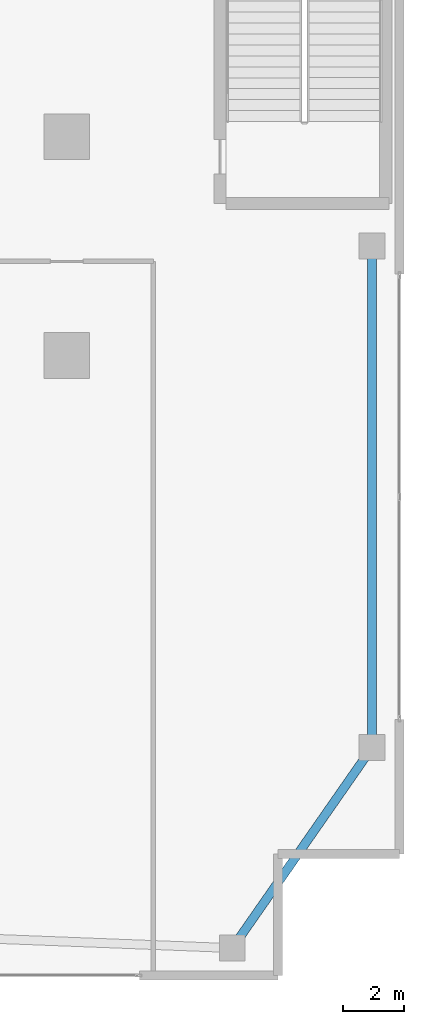
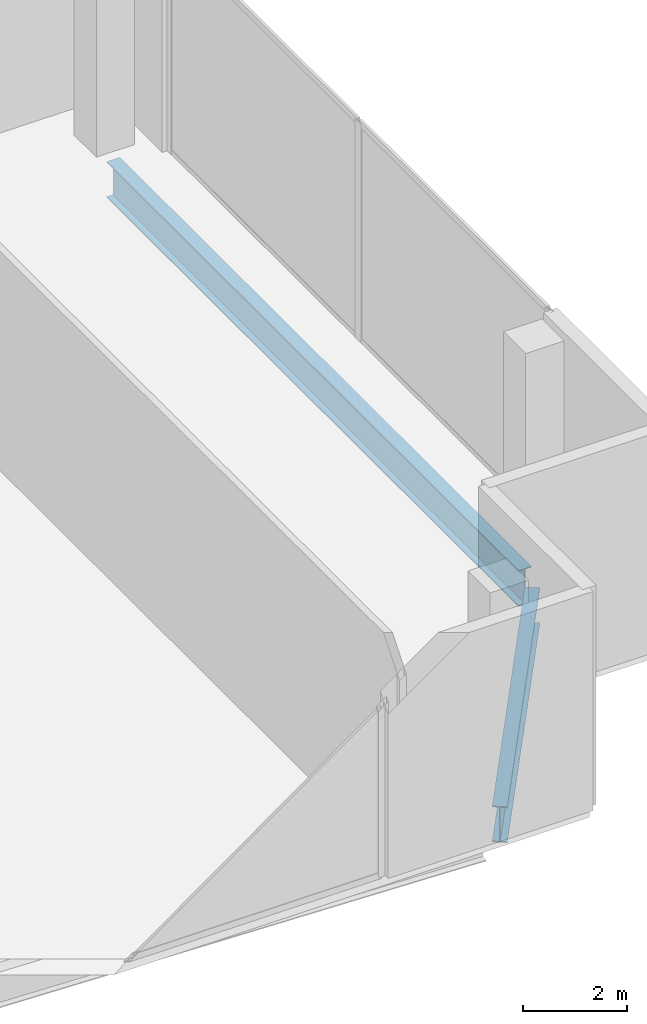
# One storey, part 19 of 30: 2 beams.
"""IFC4 building model written with IfcOpenShell, lengths in metres."""

from ifc_helpers import new_model, si_unit, direction, frame, origin, origin_2d, place, context, subcontext, project, spatial, i_section, extrude, material, material_profile, profile_set, type_object, element, save


model = new_model("IFC4")

# Units and contexts
model_context = context("Model", 3, precision=1e-05, world=origin(), true_north=direction((0.0, 1.0)))
body_context = subcontext(model_context, "Body", "Model", "MODEL_VIEW")
ifc_project = project(units=[si_unit("LENGTHUNIT", "METRE"), si_unit("AREAUNIT", "SQUARE_METRE"), si_unit("VOLUMEUNIT", "CUBIC_METRE"), si_unit("PLANEANGLEUNIT", "RADIAN"), si_unit("MASSUNIT", "GRAM", prefix="KILO")], contexts=[model_context])

# Site, building, storey
site_placement = place(None, origin())
site = spatial("IfcSite", under=ifc_project, at=site_placement, CompositionType="ELEMENT")
building_placement = place(site_placement, origin())
building = spatial("IfcBuilding", under=site, at=building_placement, Name="Zuhayl Quay Hotel", CompositionType="ELEMENT")
storey_placement = place(building_placement, frame((0.0, 0.0, 6.0)))
storey = spatial("IfcBuildingStorey", under=building, at=storey_placement, Name="L01", CompositionType="ELEMENT", Elevation=6.0)

# Beams
ifc_material = material(Name="Steel ASTM A992 Grade 50", Category="steel")
ifc_material_profile = material_profile(ifc_material, i_section(OverallWidth=0.2919921875, OverallDepth=0.845947265625, WebThickness=0.015380859375, FlangeThickness=0.0244140625, at=origin_2d()), Name="W33X141")
ifc_profile_set = profile_set([ifc_material_profile], Name="Steel ASTM A992 Grade 50")
beam_type = type_object("IfcBeamType", Name="BM_PG3_W33X141", PredefinedType="BEAM", material=ifc_profile_set)
beam_1_placement = place(storey_placement, frame((30.6943359375, -22.821044921875, -0.673095703125), z_axis=(0.571785900762, 0.820402878889, 0.0), x_axis=(-0.820402878889, 0.571785900762, 0.0)))
element("IfcBeam", 1, at=beam_1_placement, inside=storey, type_object=beam_type, Name="L01 Floor Beam PG_E_L01_0", PredefinedType="BEAM", context=body_context, shape_type="SweptSolid", body=[
    extrude(i_section(OverallWidth=0.2919921875, OverallDepth=0.845947265625, WebThickness=0.015380859375, FlangeThickness=0.0244140625, at=origin_2d()), origin(), (0.0, 0.0, 1.0), 7.364990234375),
])
beam_2_placement = place(storey_placement, frame((35.10009765625, -16.159912109375, -0.673095703125), z_axis=(0.0, 1.0, 0.0), x_axis=(-1.0, 0.0, 0.0)))
element("IfcBeam", 2, at=beam_2_placement, inside=storey, type_object=beam_type, Name="L01 Floor Beam PG_E_L01_1", PredefinedType="BEAM", context=body_context, shape_type="SweptSolid", body=[
    extrude(i_section(OverallWidth=0.2919921875, OverallDepth=0.845947265625, WebThickness=0.015380859375, FlangeThickness=0.0244140625, at=origin_2d()), origin(), (0.0, 0.0, 1.0), 15.81982421875),
])

save(model, "model.ifc")
